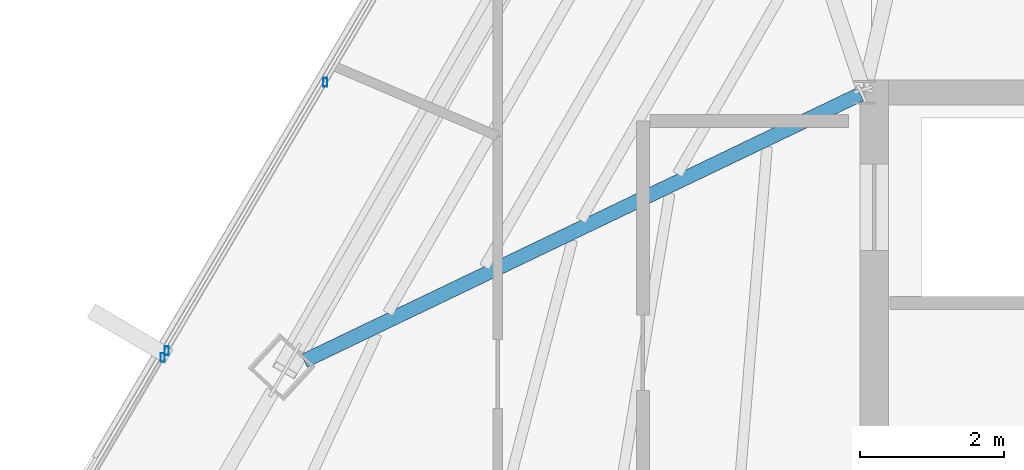
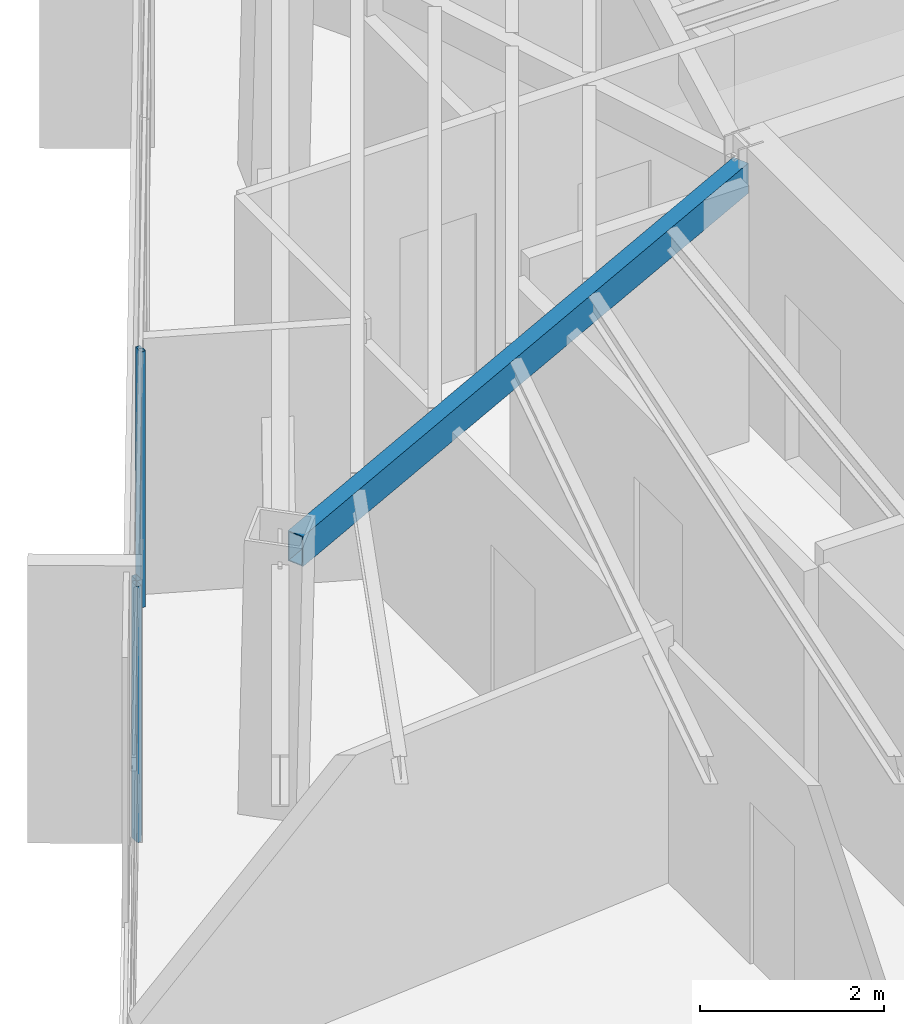
# One storey, part 15 of 44: 3 members, 1 beam, 2 elements without a shape of their own.
"""IFC4 building model written with IfcOpenShell, lengths in metres."""

import ifcopenshell
import ifcopenshell.guid

model = None  # the IFC model being written
_history = None  # IfcOwnerHistory: only IFC2X3 demands one
_inside = {}  # id of a spatial element -> (the spatial element, [elements in it])
_under = {}  # id of a project, library or spatial element -> (it, [spatial elements below it])
_declared = {}  # id of a project -> (the project, [libraries it declares])
_typed = {}  # id of a type object -> (the type object, [elements of that type])
_made_of = {}  # id of a material, layer set ... -> (it, [elements and type objects made of it])


def new_model(schema):
    """Start an empty IFC model of exactly this schema.

    Asked for "IFC4X3", IfcOpenShell would pick the latest addendum, in which some entities
    have other attributes; the version numbers below select the first issue.
    IFC2X3 requires an IfcOwnerHistory on every rooted entity: one is made here for all.
    """
    global model, _history
    if schema == "IFC4X3":
        model = ifcopenshell.file(schema_version=(4, 3, 0, 0))
    else:
        model = ifcopenshell.file(schema=schema)
    _inside.clear()
    _under.clear()
    _declared.clear()
    _typed.clear()
    _made_of.clear()
    _history = None
    if model.schema == "IFC2X3":
        org = make("IfcOrganization", Name="unknown")
        user = make(
            "IfcPersonAndOrganization",
            ThePerson=make("IfcPerson", FamilyName="unknown"),
            TheOrganization=org,
        )
        app = make(
            "IfcApplication",
            ApplicationDeveloper=org,
            Version="unknown",
            ApplicationFullName="unknown",
            ApplicationIdentifier="unknown",
        )
        _history = make(
            "IfcOwnerHistory",
            OwningUser=user,
            OwningApplication=app,
            ChangeAction="ADDED",
            CreationDate=0,
        )
    return model


def make(cls, **values):
    """One entity of the class cls with the attributes given. An attribute that is None is left unset."""
    return model.create_entity(
        cls, **{name: value for name, value in values.items() if value is not None}
    )


def rooted(cls, **values):
    """An entity with a GlobalId (a new one), such as an element, a storey or a relation."""
    return make(cls, GlobalId=ifcopenshell.guid.new(), OwnerHistory=_history, **values)


def si_unit(unit_type, name, prefix=None):
    """IfcSIUnit, for example si_unit("LENGTHUNIT", "METRE", prefix="MILLI")."""
    return make("IfcSIUnit", UnitType=unit_type, Prefix=prefix, Name=name)


def assignment(units):
    """IfcUnitAssignment: the units of a project."""
    return None if units is None else make("IfcUnitAssignment", Units=units)


def point(xyz):
    """IfcCartesianPoint."""
    return None if xyz is None else make("IfcCartesianPoint", Coordinates=xyz)


def direction(xyz):
    """IfcDirection."""
    return None if xyz is None else make("IfcDirection", DirectionRatios=xyz)


def frame(location, z_axis=None, x_axis=None):
    """IfcAxis2Placement3D, a coordinate frame: its origin and axes. An axis left out is left unset."""
    return make(
        "IfcAxis2Placement3D",
        Location=point(location),
        Axis=direction(z_axis),
        RefDirection=direction(x_axis),
    )


def frame_2d(location, x_axis=None):
    """IfcAxis2Placement2D, a coordinate frame in the plane: its origin and x axis."""
    return make(
        "IfcAxis2Placement2D", Location=point(location), RefDirection=direction(x_axis)
    )


def origin():
    """The frame at (0, 0, 0) with its axes left unset."""
    return frame((0.0, 0.0, 0.0))


def origin_2d():
    """The frame at (0, 0) in the plane with its x axis left unset."""
    return frame_2d((0.0, 0.0))


def place(relative_to, where):
    """IfcLocalPlacement: puts the frame where relative to a parent placement (None: the world)."""
    return make(
        "IfcLocalPlacement", PlacementRelTo=relative_to, RelativePlacement=where
    )


def context(
    kind, dimensions, precision=None, world=None, true_north=None, identifier=None
):
    """IfcGeometricRepresentationContext, for example the 3D "Model" context."""
    return make(
        "IfcGeometricRepresentationContext",
        ContextIdentifier=identifier,
        ContextType=kind,
        CoordinateSpaceDimension=dimensions,
        Precision=precision,
        WorldCoordinateSystem=world,
        TrueNorth=true_north,
    )


def subcontext(parent, identifier, kind, view, scale=None):
    """IfcGeometricRepresentationSubContext, for example "Body" below "Model"."""
    return make(
        "IfcGeometricRepresentationSubContext",
        ContextIdentifier=identifier,
        ContextType=kind,
        ParentContext=parent,
        TargetScale=scale,
        TargetView=view,
    )


def project(units=None, contexts=None):
    """IfcProject with its units and contexts."""
    return rooted(
        "IfcProject",
        Name="project",
        RepresentationContexts=contexts,
        UnitsInContext=assignment(units),
    )


def spatial(cls, under=None, at=None, **own):
    """A site, building, storey or space (cls), placed at a placement, below another one or the project."""
    s = rooted(cls, ObjectPlacement=at, **own)
    if under is not None:
        _under.setdefault(under.id(), (under, []))[1].append(s)
    return s


def profile(cls, at=None, kind="AREA", **sizes):
    """A parametric profile (cls). Its sizes go by their IFC names, for example OverallWidth=200.0."""
    return make(cls, ProfileType=kind, Position=at, **sizes)


def hollow_rectangle(**sizes):
    """IfcRectangleHollowProfileDef."""
    return profile("IfcRectangleHollowProfileDef", **sizes)


def extrude(swept, where, along, depth):
    """IfcExtrudedAreaSolid: the profile swept, set in the frame where, extruded along a direction by depth."""
    return make(
        "IfcExtrudedAreaSolid",
        SweptArea=swept,
        Position=where,
        ExtrudedDirection=direction(along),
        Depth=depth,
    )


def shape(context_of_items, identifier, shape_type, items):
    """IfcShapeRepresentation: the items that make up one representation, for example the "Body"."""
    return make(
        "IfcShapeRepresentation",
        ContextOfItems=context_of_items,
        RepresentationIdentifier=identifier,
        RepresentationType=shape_type,
        Items=items,
    )


def source(mapping_origin, context_of_items, identifier, shape_type, items):
    """IfcRepresentationMap: a shape defined once, which mapped items show again and again."""
    return make(
        "IfcRepresentationMap",
        MappingOrigin=mapping_origin,
        MappedRepresentation=shape(context_of_items, identifier, shape_type, items),
    )


def transform(
    local_origin,
    x_axis=None,
    y_axis=None,
    z_axis=None,
    scale=None,
    scale2=None,
    scale3=None,
    uniform=True,
):
    """IfcCartesianTransformationOperator3D, or its non-uniform kind. x_axis, y_axis, z_axis: its Axis1, 2, 3."""
    if uniform:
        return make(
            "IfcCartesianTransformationOperator3D",
            Axis1=direction(x_axis),
            Axis2=direction(y_axis),
            LocalOrigin=point(local_origin),
            Scale=scale,
            Axis3=direction(z_axis),
        )
    return make(
        "IfcCartesianTransformationOperator3DnonUniform",
        Axis1=direction(x_axis),
        Axis2=direction(y_axis),
        LocalOrigin=point(local_origin),
        Scale=scale,
        Axis3=direction(z_axis),
        Scale2=scale2,
        Scale3=scale3,
    )


def mapped(mapping_source, mapping_target):
    """IfcMappedItem: shows the shape of a source again, moved by a transform."""
    return make(
        "IfcMappedItem", MappingSource=mapping_source, MappingTarget=mapping_target
    )


def material(Name=None, Category=None):
    """IfcMaterial."""
    return make("IfcMaterial", Name=Name, Category=Category)


def material_profile(
    of_material, cross_section, Name=None, Category=None, Priority=None
):
    """IfcMaterialProfile: a cross section and its material."""
    return make(
        "IfcMaterialProfile",
        Name=Name,
        Material=of_material,
        Profile=cross_section,
        Priority=Priority,
        Category=Category,
    )


def profile_set(profiles, Name=None, composite=None):
    """IfcMaterialProfileSet."""
    return make(
        "IfcMaterialProfileSet",
        Name=Name,
        MaterialProfiles=profiles,
        CompositeProfile=composite,
    )


def made_of(thing, what):
    """Note that an element or type object is made of a material, layer set ...; save() writes the relation."""
    if what is not None:
        _made_of.setdefault(what.id(), (what, []))[1].append(thing)
    return thing


def type_object(cls, material=None, **own):
    """A type object (cls), such as IfcWallType, which elements share."""
    return made_of(rooted(cls, **own), material)


def type_shapes(of_type, sources):
    """Give a type object the sources (RepresentationMaps) that its elements show as mapped items."""
    of_type.RepresentationMaps = sources


def element(
    cls,
    number,
    at=None,
    inside=None,
    cuts=None,
    type_object=None,
    material=None,
    context=None,
    identifier="Body",
    shape_type=None,
    held_by="IfcProductDefinitionShape",
    body=None,
    shapes=None,
    **own,
):
    """One element of the class cls, such as IfcWall. Its Tag is "e" and its number.

    at: its placement. inside: the storey or other place that contains it. cuts: it is an
    opening in that element (IfcRelVoidsElement). A single representation is given by context,
    identifier, shape_type and body (its items); several are given by shapes. held_by: the class
    of the entity that holds the representations. save() writes the other relations.
    """
    e = rooted(cls, Tag="e%d" % number, ObjectPlacement=at, **own)
    if body is not None:
        shapes = [shape(context, identifier, shape_type, body)]
    if shapes is not None:
        e.Representation = make(held_by, Representations=shapes)
    if inside is not None:
        _inside.setdefault(inside.id(), (inside, []))[1].append(e)
    if cuts is not None:
        rooted(
            "IfcRelVoidsElement", RelatingBuildingElement=cuts, RelatedOpeningElement=e
        )
    if type_object is not None:
        _typed.setdefault(type_object.id(), (type_object, []))[1].append(e)
    return made_of(e, material)


def aggregate(whole, parts):
    """IfcRelAggregates: a whole, such as a stair, and the parts it consists of."""
    return rooted("IfcRelAggregates", RelatingObject=whole, RelatedObjects=parts)


def save(model, path):
    """Write the relations noted so far, then the file.

    IfcRelAggregates (storeys below a building ...), IfcRelContainedInSpatialStructure (elements
    in a storey), IfcRelDefinesByType, IfcRelAssociatesMaterial and IfcRelDeclares: one each for
    every whole, place, type object, material and project.
    """
    for whole, parts in _under.values():
        aggregate(whole, parts)
    for where, things in _inside.values():
        rooted(
            "IfcRelContainedInSpatialStructure",
            RelatedElements=things,
            RelatingStructure=where,
        )
    for kind, things in _typed.values():
        rooted("IfcRelDefinesByType", RelatedObjects=things, RelatingType=kind)
    for what, things in _made_of.values():
        rooted("IfcRelAssociatesMaterial", RelatedObjects=things, RelatingMaterial=what)
    for by, libraries in _declared.values():
        rooted("IfcRelDeclares", RelatingContext=by, RelatedDefinitions=libraries)
    model.write(path)


model = new_model("IFC4")

# Units and contexts
model_context = context("Model", 3, precision=1e-05, world=origin(), true_north=direction((0.0, 1.0)))
body_context = subcontext(model_context, "Body", "Model", "MODEL_VIEW")
ifc_project = project(units=[si_unit("LENGTHUNIT", "METRE"), si_unit("AREAUNIT", "SQUARE_METRE"), si_unit("VOLUMEUNIT", "CUBIC_METRE"), si_unit("PLANEANGLEUNIT", "RADIAN"), si_unit("MASSUNIT", "GRAM", prefix="KILO")], contexts=[model_context])

# Site, building, storey
site_placement = place(None, origin())
site = spatial("IfcSite", under=ifc_project, at=site_placement, CompositionType="ELEMENT")
building_placement = place(site_placement, origin())
building = spatial("IfcBuilding", under=site, at=building_placement, Name="Caelisora Broadcast Tower", CompositionType="ELEMENT")
storey_placement = place(building_placement, frame((0.0, 0.0, 259.050048828125)))
storey = spatial("IfcBuildingStorey", under=building, at=storey_placement, Name="L68", CompositionType="ELEMENT", Elevation=259.050048828125)

# Beam
ifc_material_1 = material(Name="Steel Grade 350 (AS/NZS 1163 C350L0)", Category="steel")
ifc_material_profile_1 = material_profile(ifc_material_1, hollow_rectangle(XDim=0.199951171875, YDim=0.39990234375, WallThickness=0.012451171875, at=origin_2d()), Name="Steel Grade 350 (AS/NZS 1163 C350L0)")
ifc_profile_set_1 = profile_set([ifc_material_profile_1], Name="Steel Grade 350 (AS/NZS 1163 C350L0)")
beam_type = type_object("IfcBeamType", Name="PG07", PredefinedType="BEAM", material=ifc_profile_set_1)
shared_shape_1 = source(origin(), body_context, "Body", "SweptSolid", [
    extrude(hollow_rectangle(XDim=0.199951171875, YDim=0.39990234375, WallThickness=0.012451171875, at=origin_2d()), origin(), (0.0, 0.0, 1.0), 8.582275390625),
])
type_shapes(beam_type, [shared_shape_1])
beam_placement = place(storey_placement, frame((30.44580078125, 29.97412109375, 3.199951171875), z_axis=(-0.901645981757, -0.432474882024, 0.0), x_axis=(0.432474882024, -0.901645981757, 0.0)))
element("IfcBeam", 1, at=beam_placement, inside=storey, type_object=beam_type, Name="L68 beam PG07", PredefinedType="BEAM", context=body_context, shape_type="MappedRepresentation", body=[
    mapped(shared_shape_1, transform((0.0, 0.0, 0.0), scale=1.0)),
])

# Curtain wall, member
ifc_material_2 = material(Name="Unitised Aluminium and Low-E Glass Curtain Wall", Category="glass")
curtain_wall_type_1 = type_object("IfcCurtainWallType", Name="CW-Z5", PredefinedType="NOTDEFINED", material=ifc_material_2)
curtain_wall_1_placement = place(storey_placement, origin())
curtain_wall_1 = element("IfcCurtainWall", 2, at=curtain_wall_1_placement, inside=storey, type_object=curtain_wall_type_1, Name="L68 curtain wall CW-Z5", PredefinedType="NOTDEFINED")
ifc_material_3 = material(Name="Aluminium 6063-T6 Anodised Terracotta Bronze", Category="aluminium")
ifc_material_profile_2 = material_profile(ifc_material_3, hollow_rectangle(XDim=0.06005859375, YDim=0.1201171875, WallThickness=0.0029296875, at=origin_2d()), Name="Aluminium 6063-T6 Anodised Terracotta Bronze")
ifc_profile_set_2 = profile_set([ifc_material_profile_2], Name="Aluminium 6063-T6 Anodised Terracotta Bronze")
member_type = type_object("IfcMemberType", Name="CWM-04", PredefinedType="MULLION", material=ifc_profile_set_2)
shared_shape_2 = source(origin(), body_context, "Body", "SweptSolid", [
    extrude(hollow_rectangle(XDim=0.06005859375, YDim=0.1201171875, WallThickness=0.0029296875, at=origin_2d()), origin(), (0.0, 0.0, 1.0), 3.39990234375),
])
type_shapes(member_type, [shared_shape_2])
member_1_placement = place(storey_placement, frame((20.7373046875, 26.308837890625, 0.0), z_axis=(0.0, 0.0, 1.0), x_axis=(1.0, 0.0, 0.0)))
member_1 = element("IfcMember", 3, at=member_1_placement, type_object=member_type, Name="L68-CW-B09 mullion #3", PredefinedType="MULLION", context=body_context, shape_type="MappedRepresentation", body=[
    mapped(shared_shape_2, transform((0.0, 0.0, 0.0), scale=1.0)),
])
aggregate(curtain_wall_1, [member_1])

# Curtain wall, members
ifc_material_4 = material(Name="Unitised Aluminium Insulated Shadow-Box Spandrel Curtain Wall", Category="aluminium")
curtain_wall_type_2 = type_object("IfcCurtainWallType", Name="CW-SP3", PredefinedType="NOTDEFINED", material=ifc_material_4)
curtain_wall_2_placement = place(storey_placement, origin())
curtain_wall_2 = element("IfcCurtainWall", 4, at=curtain_wall_2_placement, inside=storey, type_object=curtain_wall_type_2, Name="L68 curtain wall CW-SP3", PredefinedType="NOTDEFINED")
member_2_placement = place(storey_placement, frame((20.793212890625, 26.403564453125, 0.0), z_axis=(0.0, 0.0, 1.0), x_axis=(1.0, 0.0, 0.0)))
member_2 = element("IfcMember", 5, at=member_2_placement, type_object=member_type, Name="L68-CW-B10 mullion #0", PredefinedType="MULLION", context=body_context, shape_type="MappedRepresentation", body=[
    mapped(shared_shape_2, transform((0.0, 0.0, 0.0), scale=1.0)),
])
member_3_placement = place(storey_placement, frame((23.000244140625, 30.141357421875, 0.0), z_axis=(0.0, 0.0, 1.0), x_axis=(1.0, 0.0, 0.0)))
member_3 = element("IfcMember", 6, at=member_3_placement, type_object=member_type, Name="L68-CW-B10 mullion #1", PredefinedType="MULLION", context=body_context, shape_type="MappedRepresentation", body=[
    mapped(shared_shape_2, transform((0.0, 0.0, 0.0), scale=1.0)),
])
aggregate(curtain_wall_2, [member_2, member_3])

save(model, "model.ifc")
